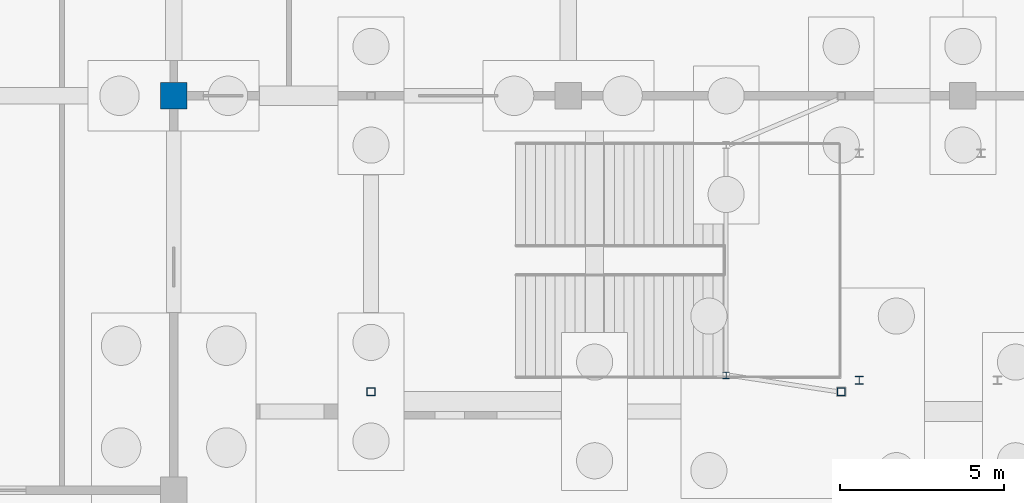
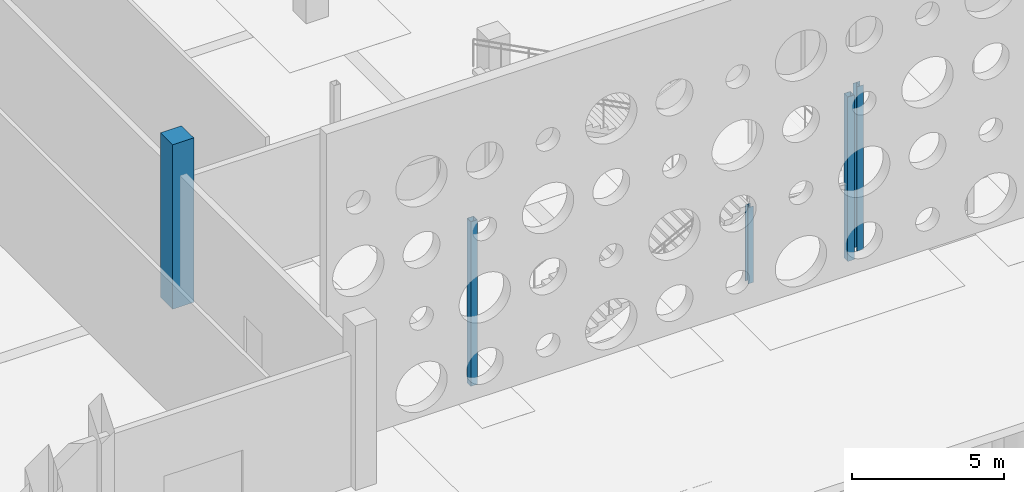
# One storey, part 28 of 117: 5 columns.
"""IFC4 building model written with IfcOpenShell, lengths in metres."""

import ifcopenshell
import ifcopenshell.guid

model = None  # the IFC model being written
_history = None  # IfcOwnerHistory: only IFC2X3 demands one
_inside = {}  # id of a spatial element -> (the spatial element, [elements in it])
_under = {}  # id of a project, library or spatial element -> (it, [spatial elements below it])
_declared = {}  # id of a project -> (the project, [libraries it declares])
_typed = {}  # id of a type object -> (the type object, [elements of that type])
_made_of = {}  # id of a material, layer set ... -> (it, [elements and type objects made of it])


def new_model(schema):
    """Start an empty IFC model of exactly this schema.

    Asked for "IFC4X3", IfcOpenShell would pick the latest addendum, in which some entities
    have other attributes; the version numbers below select the first issue.
    IFC2X3 requires an IfcOwnerHistory on every rooted entity: one is made here for all.
    """
    global model, _history
    if schema == "IFC4X3":
        model = ifcopenshell.file(schema_version=(4, 3, 0, 0))
    else:
        model = ifcopenshell.file(schema=schema)
    _inside.clear()
    _under.clear()
    _declared.clear()
    _typed.clear()
    _made_of.clear()
    _history = None
    if model.schema == "IFC2X3":
        org = make("IfcOrganization", Name="unknown")
        user = make(
            "IfcPersonAndOrganization",
            ThePerson=make("IfcPerson", FamilyName="unknown"),
            TheOrganization=org,
        )
        app = make(
            "IfcApplication",
            ApplicationDeveloper=org,
            Version="unknown",
            ApplicationFullName="unknown",
            ApplicationIdentifier="unknown",
        )
        _history = make(
            "IfcOwnerHistory",
            OwningUser=user,
            OwningApplication=app,
            ChangeAction="ADDED",
            CreationDate=0,
        )
    return model


def make(cls, **values):
    """One entity of the class cls with the attributes given. An attribute that is None is left unset."""
    return model.create_entity(
        cls, **{name: value for name, value in values.items() if value is not None}
    )


def rooted(cls, **values):
    """An entity with a GlobalId (a new one), such as an element, a storey or a relation."""
    return make(cls, GlobalId=ifcopenshell.guid.new(), OwnerHistory=_history, **values)


def si_unit(unit_type, name, prefix=None):
    """IfcSIUnit, for example si_unit("LENGTHUNIT", "METRE", prefix="MILLI")."""
    return make("IfcSIUnit", UnitType=unit_type, Prefix=prefix, Name=name)


def assignment(units):
    """IfcUnitAssignment: the units of a project."""
    return None if units is None else make("IfcUnitAssignment", Units=units)


def point(xyz):
    """IfcCartesianPoint."""
    return None if xyz is None else make("IfcCartesianPoint", Coordinates=xyz)


def direction(xyz):
    """IfcDirection."""
    return None if xyz is None else make("IfcDirection", DirectionRatios=xyz)


def frame(location, z_axis=None, x_axis=None):
    """IfcAxis2Placement3D, a coordinate frame: its origin and axes. An axis left out is left unset."""
    return make(
        "IfcAxis2Placement3D",
        Location=point(location),
        Axis=direction(z_axis),
        RefDirection=direction(x_axis),
    )


def frame_2d(location, x_axis=None):
    """IfcAxis2Placement2D, a coordinate frame in the plane: its origin and x axis."""
    return make(
        "IfcAxis2Placement2D", Location=point(location), RefDirection=direction(x_axis)
    )


def origin():
    """The frame at (0, 0, 0) with its axes left unset."""
    return frame((0.0, 0.0, 0.0))


def origin_2d():
    """The frame at (0, 0) in the plane with its x axis left unset."""
    return frame_2d((0.0, 0.0))


def place(relative_to, where):
    """IfcLocalPlacement: puts the frame where relative to a parent placement (None: the world)."""
    return make(
        "IfcLocalPlacement", PlacementRelTo=relative_to, RelativePlacement=where
    )


def context(
    kind, dimensions, precision=None, world=None, true_north=None, identifier=None
):
    """IfcGeometricRepresentationContext, for example the 3D "Model" context."""
    return make(
        "IfcGeometricRepresentationContext",
        ContextIdentifier=identifier,
        ContextType=kind,
        CoordinateSpaceDimension=dimensions,
        Precision=precision,
        WorldCoordinateSystem=world,
        TrueNorth=true_north,
    )


def subcontext(parent, identifier, kind, view, scale=None):
    """IfcGeometricRepresentationSubContext, for example "Body" below "Model"."""
    return make(
        "IfcGeometricRepresentationSubContext",
        ContextIdentifier=identifier,
        ContextType=kind,
        ParentContext=parent,
        TargetScale=scale,
        TargetView=view,
    )


def project(units=None, contexts=None):
    """IfcProject with its units and contexts."""
    return rooted(
        "IfcProject",
        Name="project",
        RepresentationContexts=contexts,
        UnitsInContext=assignment(units),
    )


def spatial(cls, under=None, at=None, **own):
    """A site, building, storey or space (cls), placed at a placement, below another one or the project."""
    s = rooted(cls, ObjectPlacement=at, **own)
    if under is not None:
        _under.setdefault(under.id(), (under, []))[1].append(s)
    return s


def profile(cls, at=None, kind="AREA", **sizes):
    """A parametric profile (cls). Its sizes go by their IFC names, for example OverallWidth=200.0."""
    return make(cls, ProfileType=kind, Position=at, **sizes)


def rectangle(**sizes):
    """IfcRectangleProfileDef."""
    return profile("IfcRectangleProfileDef", **sizes)


def hollow_rectangle(**sizes):
    """IfcRectangleHollowProfileDef."""
    return profile("IfcRectangleHollowProfileDef", **sizes)


def i_section(**sizes):
    """IfcIShapeProfileDef."""
    return profile("IfcIShapeProfileDef", **sizes)


def extrude(swept, where, along, depth):
    """IfcExtrudedAreaSolid: the profile swept, set in the frame where, extruded along a direction by depth."""
    return make(
        "IfcExtrudedAreaSolid",
        SweptArea=swept,
        Position=where,
        ExtrudedDirection=direction(along),
        Depth=depth,
    )


def shape(context_of_items, identifier, shape_type, items):
    """IfcShapeRepresentation: the items that make up one representation, for example the "Body"."""
    return make(
        "IfcShapeRepresentation",
        ContextOfItems=context_of_items,
        RepresentationIdentifier=identifier,
        RepresentationType=shape_type,
        Items=items,
    )


def material(Name=None, Category=None):
    """IfcMaterial."""
    return make("IfcMaterial", Name=Name, Category=Category)


def material_profile(
    of_material, cross_section, Name=None, Category=None, Priority=None
):
    """IfcMaterialProfile: a cross section and its material."""
    return make(
        "IfcMaterialProfile",
        Name=Name,
        Material=of_material,
        Profile=cross_section,
        Priority=Priority,
        Category=Category,
    )


def profile_set(profiles, Name=None, composite=None):
    """IfcMaterialProfileSet."""
    return make(
        "IfcMaterialProfileSet",
        Name=Name,
        MaterialProfiles=profiles,
        CompositeProfile=composite,
    )


def made_of(thing, what):
    """Note that an element or type object is made of a material, layer set ...; save() writes the relation."""
    if what is not None:
        _made_of.setdefault(what.id(), (what, []))[1].append(thing)
    return thing


def type_object(cls, material=None, **own):
    """A type object (cls), such as IfcWallType, which elements share."""
    return made_of(rooted(cls, **own), material)


def element(
    cls,
    number,
    at=None,
    inside=None,
    cuts=None,
    type_object=None,
    material=None,
    context=None,
    identifier="Body",
    shape_type=None,
    held_by="IfcProductDefinitionShape",
    body=None,
    shapes=None,
    **own,
):
    """One element of the class cls, such as IfcWall. Its Tag is "e" and its number.

    at: its placement. inside: the storey or other place that contains it. cuts: it is an
    opening in that element (IfcRelVoidsElement). A single representation is given by context,
    identifier, shape_type and body (its items); several are given by shapes. held_by: the class
    of the entity that holds the representations. save() writes the other relations.
    """
    e = rooted(cls, Tag="e%d" % number, ObjectPlacement=at, **own)
    if body is not None:
        shapes = [shape(context, identifier, shape_type, body)]
    if shapes is not None:
        e.Representation = make(held_by, Representations=shapes)
    if inside is not None:
        _inside.setdefault(inside.id(), (inside, []))[1].append(e)
    if cuts is not None:
        rooted(
            "IfcRelVoidsElement", RelatingBuildingElement=cuts, RelatedOpeningElement=e
        )
    if type_object is not None:
        _typed.setdefault(type_object.id(), (type_object, []))[1].append(e)
    return made_of(e, material)


def aggregate(whole, parts):
    """IfcRelAggregates: a whole, such as a stair, and the parts it consists of."""
    return rooted("IfcRelAggregates", RelatingObject=whole, RelatedObjects=parts)


def save(model, path):
    """Write the relations noted so far, then the file.

    IfcRelAggregates (storeys below a building ...), IfcRelContainedInSpatialStructure (elements
    in a storey), IfcRelDefinesByType, IfcRelAssociatesMaterial and IfcRelDeclares: one each for
    every whole, place, type object, material and project.
    """
    for whole, parts in _under.values():
        aggregate(whole, parts)
    for where, things in _inside.values():
        rooted(
            "IfcRelContainedInSpatialStructure",
            RelatedElements=things,
            RelatingStructure=where,
        )
    for kind, things in _typed.values():
        rooted("IfcRelDefinesByType", RelatedObjects=things, RelatingType=kind)
    for what, things in _made_of.values():
        rooted("IfcRelAssociatesMaterial", RelatedObjects=things, RelatingMaterial=what)
    for by, libraries in _declared.values():
        rooted("IfcRelDeclares", RelatingContext=by, RelatedDefinitions=libraries)
    model.write(path)


model = new_model("IFC4")

# Units and contexts
model_context = context("Model", 3, precision=1e-05, world=origin(), true_north=direction((0.0, 1.0)))
body_context = subcontext(model_context, "Body", "Model", "MODEL_VIEW")
ifc_project = project(units=[si_unit("LENGTHUNIT", "METRE"), si_unit("AREAUNIT", "SQUARE_METRE"), si_unit("VOLUMEUNIT", "CUBIC_METRE"), si_unit("PLANEANGLEUNIT", "RADIAN"), si_unit("MASSUNIT", "GRAM", prefix="KILO")], contexts=[model_context])

# Site, building, storey
site_placement = place(None, origin())
site = spatial("IfcSite", under=ifc_project, at=site_placement, CompositionType="ELEMENT")
building_placement = place(site_placement, origin())
building = spatial("IfcBuilding", under=site, at=building_placement, Name="Kamomehara Wholesale Market", CompositionType="ELEMENT")
storey_placement = place(building_placement, origin())
storey = spatial("IfcBuildingStorey", under=building, at=storey_placement, Name="L00", CompositionType="ELEMENT", Elevation=0.0)

# Columns
ifc_material_1 = material(Name="Precast concrete Fc45 (C40/50)", Category="concrete")
ifc_material_profile_1 = material_profile(ifc_material_1, rectangle(XDim=0.800048828125, YDim=0.800048828125, at=origin_2d()), Name="PC-COL-800x800")
ifc_profile_set_1 = profile_set([ifc_material_profile_1], Name="Precast concrete Fc45 (C40/50)")
column_type_1 = type_object("IfcColumnType", Name="COL-PC800-EXT", PredefinedType="COLUMN", material=ifc_profile_set_1)
column_1_placement = place(storey_placement, frame((168.0, 24.0, 0.0), z_axis=(0.0, 0.0, 1.0), x_axis=(1.0, 0.0, 0.0)))
element("IfcColumn", 1, at=column_1_placement, inside=storey, type_object=column_type_1, Name="Column C-03E L00", PredefinedType="COLUMN", context=body_context, shape_type="SweptSolid", body=[
    extrude(rectangle(XDim=0.800048828125, YDim=0.800048828125, at=origin_2d()), origin(), (0.0, 0.0, 1.0), 6.60009765625),
])
ifc_material_2 = material(Name="Steel SN490B", Category="steel")
ifc_material_profile_2 = material_profile(ifc_material_2, i_section(OverallWidth=0.199951171875, OverallDepth=0.199951171875, WebThickness=0.008056640625, FlangeThickness=0.011962890625, FilletRadius=0.012939453125, at=origin_2d()), Name="H-200x200x8x12")
ifc_profile_set_2 = profile_set([ifc_material_profile_2], Name="Steel SN490B")
column_type_2 = type_object("IfcColumnType", Name="COL-ST-H200-EXT", PredefinedType="COLUMN", material=ifc_profile_set_2)
column_2_placement = place(storey_placement, frame((184.800048828125, 15.5, 0.0), z_axis=(0.0, 0.0, 1.0), x_axis=(1.0, 0.0, 0.0)))
element("IfcColumn", 2, at=column_2_placement, inside=storey, type_object=column_type_2, Name="Column CS-10E L00", PredefinedType="COLUMN", context=body_context, shape_type="SweptSolid", body=[
    extrude(i_section(OverallWidth=0.199951171875, OverallDepth=0.199951171875, WebThickness=0.008056640625, FlangeThickness=0.011962890625, FilletRadius=0.012939453125, at=origin_2d()), origin(), (0.0, 0.0, 1.0), 3.06005859375),
])
ifc_material_3 = material(Name="Steel SN490B", Category="steel")
ifc_material_profile_3 = material_profile(ifc_material_3, i_section(OverallWidth=0.25, OverallDepth=0.25, WebThickness=0.009033203125, FlangeThickness=0.013916015625, FilletRadius=0.012939453125, at=origin_2d()), Name="H-250x250x9x14")
ifc_profile_set_3 = profile_set([ifc_material_profile_3], Name="Steel SN490B")
column_type_3 = type_object("IfcColumnType", Name="COL-ST-H250-EXT", PredefinedType="COLUMN", material=ifc_profile_set_3)
column_3_placement = place(storey_placement, frame((188.85009765625, 15.35009765625, 0.0), z_axis=(0.0, 0.0, 1.0), x_axis=(1.0, 0.0, 0.0)))
element("IfcColumn", 3, at=column_3_placement, inside=storey, type_object=column_type_3, Name="Column CS-04E L00 ST20.1", PredefinedType="COLUMN", context=body_context, shape_type="SweptSolid", body=[
    extrude(i_section(OverallWidth=0.25, OverallDepth=0.25, WebThickness=0.009033203125, FlangeThickness=0.013916015625, FilletRadius=0.012939453125, at=origin_2d()), origin(), (0.0, 0.0, 1.0), 6.60009765625),
])
ifc_material_4 = material(Name="Steel SN490B", Category="steel")
ifc_material_profile_4 = material_profile(ifc_material_4, hollow_rectangle(XDim=0.25, YDim=0.25, WallThickness=0.011962890625, at=origin_2d()), Name="RHS-250x250x12")
ifc_profile_set_4 = profile_set([ifc_material_profile_4], Name="Steel SN490B")
column_type_4 = type_object("IfcColumnType", Name="COL-ST-RHS250-EXT", PredefinedType="COLUMN", material=ifc_profile_set_4)
for number, where, z_axis, x_axis, name in (
    (4, (174.0, 15.0, 0.0), (0.0, 0.0, 1.0), (1.0, 0.0, 0.0), "Column CS-07E L00"),
    (5, (188.300048828125, 15.0, 0.0), (0.0, 0.0, 1.0), (1.0, 0.0, 0.0), "Column CS-07E L00"),
):
    element("IfcColumn", number, at=place(storey_placement, frame(where, z_axis=z_axis, x_axis=x_axis)), inside=storey, type_object=column_type_4, Name=name, PredefinedType="COLUMN", context=body_context, shape_type="SweptSolid", body=[
        extrude(hollow_rectangle(XDim=0.25, YDim=0.25, WallThickness=0.011962890625, at=origin_2d()), origin(), (0.0, 0.0, 1.0), 6.60009765625),
    ])

save(model, "model.ifc")
